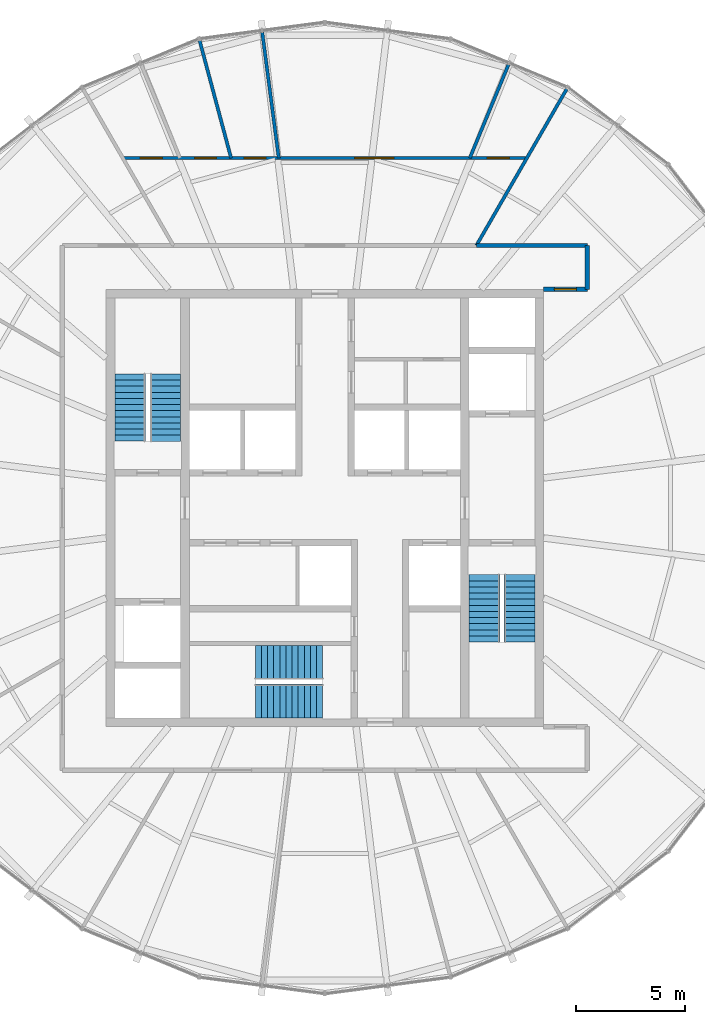
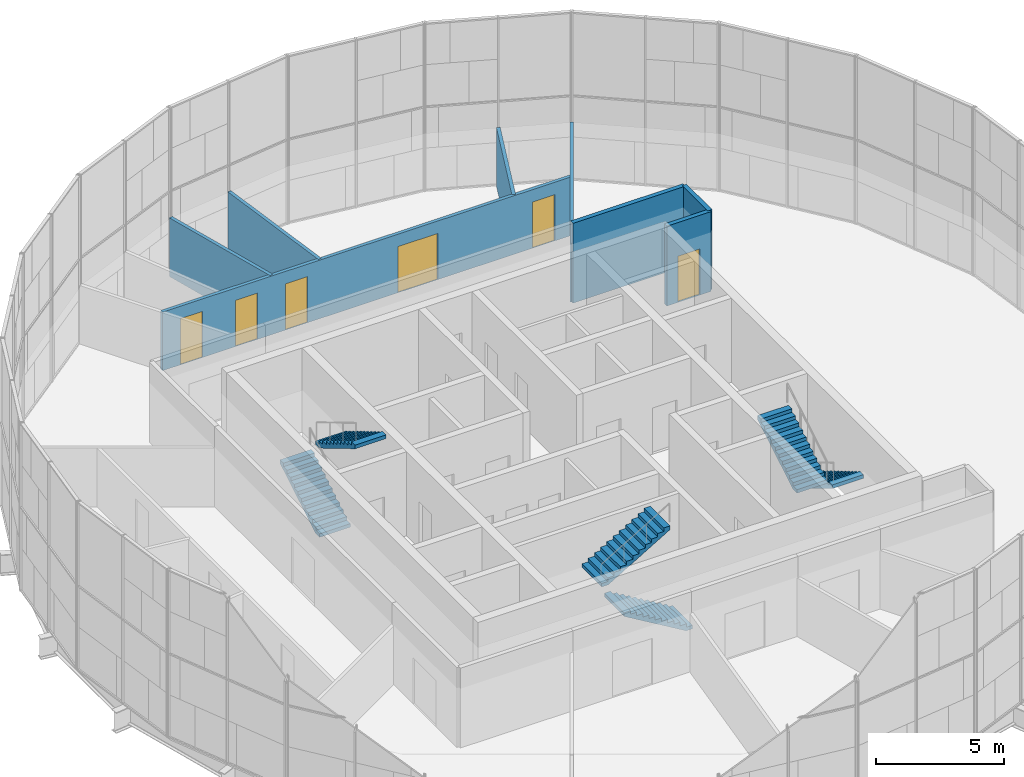
# One storey, part 18 of 19: 8 walls, 6 doors, 6 stair flights, 6 openings, 3 elements without a shape of their own.
"""IFC4 building model written with IfcOpenShell, lengths in metres."""

from ifc_helpers import new_model, si_unit, direction, frame, frame_2d, origin, place, context, subcontext, project, spatial, polyline, rectangle, outline, extrude, material, layer, layer_set, type_object, element, fill, aggregate, save


model = new_model("IFC4")

# Units and contexts
model_context = context("Model", 3, precision=1e-05, world=origin(), true_north=direction((0.0, 1.0)))
body_context = subcontext(model_context, "Body", "Model", "MODEL_VIEW")
ifc_project = project(units=[si_unit("LENGTHUNIT", "METRE"), si_unit("AREAUNIT", "SQUARE_METRE"), si_unit("VOLUMEUNIT", "CUBIC_METRE"), si_unit("PLANEANGLEUNIT", "RADIAN"), si_unit("MASSUNIT", "GRAM", prefix="KILO")], contexts=[model_context])

# Site, building, storey
site_placement = place(None, origin())
site = spatial("IfcSite", under=ifc_project, at=site_placement, CompositionType="ELEMENT")
building_placement = place(site_placement, origin())
building = spatial("IfcBuilding", under=site, at=building_placement, Name="Golbaran Civic Tower", CompositionType="ELEMENT")
storey_placement = place(building_placement, frame((0.0, 0.0, 256.0)))
storey = spatial("IfcBuildingStorey", under=building, at=storey_placement, Name="L62", CompositionType="ELEMENT", Elevation=256.0)

# Walls
ifc_material_1 = material(Name="Gypsum board on steel studs, fire-rated", Category="steel")
ifc_layer_1 = layer(ifc_material_1, 0.199951171875, Name="Gypsum board on steel studs, fire-rated")
ifc_layer_set_1 = layer_set([ifc_layer_1], Name="Gypsum board on steel studs, fire-rated")
wall_type_1 = type_object("IfcWallType", Name="CORRIDOR WALL 200", PredefinedType="PARTITIONING", material=ifc_layer_set_1)
wall_1_placement = place(storey_placement, frame((12.0, 10.0, 0.0), z_axis=(0.0, 0.0, 1.0), x_axis=(0.0, 1.0, 0.0)))
element("IfcWall", 1, at=wall_1_placement, inside=storey, type_object=wall_type_1, Name="Corridor wall L62", PredefinedType="PARTITIONING", context=body_context, shape_type="SweptSolid", body=[
    extrude(rectangle(XDim=2.0, YDim=0.199951171875, at=frame_2d((1.0, 0.0))), origin(), (0.0, 0.0, 1.0), 3.800048828125),
])
wall_2_placement = place(storey_placement, frame((12.0, 12.0, 0.0), z_axis=(0.0, 0.0, 1.0), x_axis=(-1.0, 0.0, 0.0)))
element("IfcWall", 2, at=wall_2_placement, inside=storey, type_object=wall_type_1, Name="Corridor wall L62", PredefinedType="PARTITIONING", context=body_context, shape_type="SweptSolid", body=[
    extrude(rectangle(XDim=5.07177734375, YDim=0.199951171875, at=frame_2d((2.535888671875, 0.0))), origin(), (0.0, 0.0, 1.0), 3.800048828125),
])

# Wall, opening, door
wall_3_placement = place(storey_placement, frame((10.0, 10.0, 0.0), z_axis=(0.0, 0.0, 1.0), x_axis=(1.0, 0.0, 0.0)))
wall_3 = element("IfcWall", 3, at=wall_3_placement, inside=storey, type_object=wall_type_1, Name="Corridor end wall L62", PredefinedType="PARTITIONING", context=body_context, shape_type="SweptSolid", body=[
    extrude(rectangle(XDim=2.0, YDim=0.199951171875, at=frame_2d((1.0, 0.0))), origin(), (0.0, 0.0, 1.0), 3.800048828125),
])
opening_1_placement = place(wall_3_placement, frame((0.5, 0.0, 0.0)))
opening_1 = element("IfcOpeningElement", 4, at=opening_1_placement, cuts=wall_3, Name="Opening L62.16", PredefinedType="OPENING", context=body_context, shape_type="SweptSolid", body=[
    extrude(rectangle(XDim=1.0, YDim=2.199951171875, at=frame_2d((0.5, 1.10009765625))), frame((0.0, 0.10986328125, 0.0), z_axis=(0.0, -1.0, 0.0), x_axis=(1.0, 0.0, 0.0)), (0.0, 0.0, 1.0), 0.219970703125),
])
ifc_material_2 = material(Name="Timber door set in steel frame", Category="steel")
door_type_1 = type_object("IfcDoorType", Name="OFFICE DOOR 1000x2200", OperationType="SINGLE_SWING_LEFT", PredefinedType="DOOR", material=ifc_material_2)
door_1_placement = place(opening_1_placement, origin())
door_1 = element("IfcDoor", 5, at=door_1_placement, inside=storey, type_object=door_type_1, Name="Open Office door L62", OperationType="SINGLE_SWING_LEFT", OverallHeight=2.199951171875, OverallWidth=1.0, PredefinedType="DOOR", context=body_context, shape_type="SweptSolid", body=[
    extrude(rectangle(XDim=1.0, YDim=2.199951171875, at=frame_2d((0.5, 1.10009765625))), frame((0.0, 0.02490234375, 0.0), z_axis=(0.0, -1.0, 0.0), x_axis=(1.0, 0.0, 0.0)), (0.0, 0.0, 1.0), 0.050048828125),
])
fill(opening_1, door_1)

# Wall
ifc_material_3 = material(Name="Gypsum board on steel studs", Category="steel")
ifc_layer_2 = layer(ifc_material_3, 0.14990234375, Name="Gypsum board on steel studs")
ifc_layer_set_2 = layer_set([ifc_layer_2], Name="Gypsum board on steel studs")
wall_type_2 = type_object("IfcWallType", Name="OFFICE PARTITION 150", PredefinedType="PARTITIONING", material=ifc_layer_set_2)
wall_4_placement = place(storey_placement, frame((6.92822265625, 12.0, 0.0), z_axis=(0.0, 0.0, 1.0), x_axis=(0.499989206474, 0.86603163534, 0.0)))
element("IfcWall", 6, at=wall_4_placement, inside=storey, type_object=wall_type_2, Name="Partition 60 L62", PredefinedType="PARTITIONING", context=body_context, shape_type="SweptSolid", body=[
    extrude(rectangle(XDim=8.265869140625, YDim=0.14990234375, at=frame_2d((4.1328125, 0.0))), origin(), (0.0, 0.0, 1.0), 2.7900390625),
])

# Wall, openings, doors
wall_5_placement = place(storey_placement, frame((9.237548828125, 16.0, 0.0), z_axis=(0.0, 0.0, 1.0), x_axis=(-1.0, 0.0, 0.0)))
wall_5 = element("IfcWall", 7, at=wall_5_placement, inside=storey, type_object=wall_type_2, Name="Suite partition L62", PredefinedType="PARTITIONING", context=body_context, shape_type="SweptSolid", body=[
    extrude(rectangle(XDim=18.47509765625, YDim=0.14990234375, at=frame_2d((9.237548828125, 0.0))), origin(), (0.0, 0.0, 1.0), 2.7900390625),
])
opening_2_placement = place(wall_5_placement, frame((0.80517578125, 0.0, 0.0)))
opening_2 = element("IfcOpeningElement", 8, at=opening_2_placement, cuts=wall_5, Name="Opening L62.01", PredefinedType="OPENING", context=body_context, shape_type="SweptSolid", body=[
    extrude(rectangle(XDim=1.0, YDim=2.199951171875, at=frame_2d((0.5, 1.10009765625))), frame((0.0, 0.0849609375, 0.0), z_axis=(0.0, -1.0, 0.0), x_axis=(1.0, 0.0, 0.0)), (0.0, 0.0, 1.0), 0.169921875),
])
opening_3_placement = place(wall_5_placement, frame((6.0771484375, 0.0, 0.0)))
opening_3 = element("IfcOpeningElement", 9, at=opening_3_placement, cuts=wall_5, Name="Opening L62.02", PredefinedType="OPENING", context=body_context, shape_type="SweptSolid", body=[
    extrude(rectangle(XDim=1.800048828125, YDim=2.199951171875, at=frame_2d((0.89990234375, 1.10009765625))), frame((0.0, 0.0849609375, 0.0), z_axis=(0.0, -1.0, 0.0), x_axis=(1.0, 0.0, 0.0)), (0.0, 0.0, 1.0), 0.169921875),
])
opening_4_placement = place(wall_5_placement, frame((11.934326171875, 0.0, 0.0)))
opening_4 = element("IfcOpeningElement", 10, at=opening_4_placement, cuts=wall_5, Name="Opening L62.03", PredefinedType="OPENING", context=body_context, shape_type="SweptSolid", body=[
    extrude(rectangle(XDim=1.0, YDim=2.199951171875, at=frame_2d((0.5, 1.10009765625))), frame((0.0, 0.0849609375, 0.0), z_axis=(0.0, -1.0, 0.0), x_axis=(1.0, 0.0, 0.0)), (0.0, 0.0, 1.0), 0.169921875),
])
opening_5_placement = place(wall_5_placement, frame((14.19482421875, 0.0, 0.0)))
opening_5 = element("IfcOpeningElement", 11, at=opening_5_placement, cuts=wall_5, Name="Opening L62.04", PredefinedType="OPENING", context=body_context, shape_type="SweptSolid", body=[
    extrude(rectangle(XDim=1.0, YDim=2.199951171875, at=frame_2d((0.5, 1.10009765625))), frame((0.0, 0.0849609375, 0.0), z_axis=(0.0, -1.0, 0.0), x_axis=(1.0, 0.0, 0.0)), (0.0, 0.0, 1.0), 0.169921875),
])
opening_6_placement = place(wall_5_placement, frame((16.670166015625, 0.0, 0.0)))
opening_6 = element("IfcOpeningElement", 12, at=opening_6_placement, cuts=wall_5, Name="Opening L62.05", PredefinedType="OPENING", context=body_context, shape_type="SweptSolid", body=[
    extrude(rectangle(XDim=1.0, YDim=2.199951171875, at=frame_2d((0.5, 1.10009765625))), frame((0.0, 0.0849609375, 0.0), z_axis=(0.0, -1.0, 0.0), x_axis=(1.0, 0.0, 0.0)), (0.0, 0.0, 1.0), 0.169921875),
])
door_2_placement = place(opening_2_placement, origin())
door_2 = element("IfcDoor", 13, at=door_2_placement, inside=storey, type_object=door_type_1, Name="Private Meeting Room door L62", OperationType="SINGLE_SWING_LEFT", OverallHeight=2.199951171875, OverallWidth=1.0, PredefinedType="DOOR", context=body_context, shape_type="SweptSolid", body=[
    extrude(rectangle(XDim=1.0, YDim=2.199951171875, at=frame_2d((0.5, 1.10009765625))), frame((0.0, 0.02490234375, 0.0), z_axis=(0.0, -1.0, 0.0), x_axis=(1.0, 0.0, 0.0)), (0.0, 0.0, 1.0), 0.050048828125),
])
fill(opening_2, door_2)
door_3_placement = place(opening_4_placement, origin())
door_3 = element("IfcDoor", 14, at=door_3_placement, inside=storey, type_object=door_type_1, Name="Private Meeting Room door L62", OperationType="SINGLE_SWING_RIGHT", OverallHeight=2.199951171875, OverallWidth=1.0, PredefinedType="DOOR", context=body_context, shape_type="SweptSolid", body=[
    extrude(rectangle(XDim=1.0, YDim=2.199951171875, at=frame_2d((0.5, 1.10009765625))), frame((0.0, 0.02490234375, 0.0), z_axis=(0.0, -1.0, 0.0), x_axis=(1.0, 0.0, 0.0)), (0.0, 0.0, 1.0), 0.050048828125),
])
fill(opening_4, door_3)
door_4_placement = place(opening_5_placement, origin())
door_4 = element("IfcDoor", 15, at=door_4_placement, inside=storey, type_object=door_type_1, Name="Private Meeting Room door L62", OperationType="SINGLE_SWING_RIGHT", OverallHeight=2.199951171875, OverallWidth=1.0, PredefinedType="DOOR", context=body_context, shape_type="SweptSolid", body=[
    extrude(rectangle(XDim=1.0, YDim=2.199951171875, at=frame_2d((0.5, 1.10009765625))), frame((0.0, 0.02490234375, 0.0), z_axis=(0.0, -1.0, 0.0), x_axis=(1.0, 0.0, 0.0)), (0.0, 0.0, 1.0), 0.050048828125),
])
fill(opening_5, door_4)
door_5_placement = place(opening_6_placement, origin())
door_5 = element("IfcDoor", 16, at=door_5_placement, inside=storey, type_object=door_type_1, Name="Office door L62", OperationType="SINGLE_SWING_RIGHT", OverallHeight=2.199951171875, OverallWidth=1.0, PredefinedType="DOOR", context=body_context, shape_type="SweptSolid", body=[
    extrude(rectangle(XDim=1.0, YDim=2.199951171875, at=frame_2d((0.5, 1.10009765625))), frame((0.0, 0.02490234375, 0.0), z_axis=(0.0, -1.0, 0.0), x_axis=(1.0, 0.0, 0.0)), (0.0, 0.0, 1.0), 0.050048828125),
])
fill(opening_6, door_5)
door_type_2 = type_object("IfcDoorType", Name="OFFICE DOUBLE DOOR 1800x2200", OperationType="DOUBLE_DOOR_SINGLE_SWING", PredefinedType="DOOR", material=ifc_material_2)
door_6_placement = place(opening_3_placement, origin())
door_6 = element("IfcDoor", 17, at=door_6_placement, inside=storey, type_object=door_type_2, Name="Private Meeting Room door L62", OperationType="DOUBLE_DOOR_SINGLE_SWING", OverallHeight=2.199951171875, OverallWidth=1.800048828125, PredefinedType="DOOR", context=body_context, shape_type="SweptSolid", body=[
    extrude(rectangle(XDim=1.800048828125, YDim=2.199951171875, at=frame_2d((0.89990234375, 1.10009765625))), frame((0.0, 0.02490234375, 0.0), z_axis=(0.0, -1.0, 0.0), x_axis=(1.0, 0.0, 0.0)), (0.0, 0.0, 1.0), 0.050048828125),
])
fill(opening_3, door_6)

# Walls
wall_6_placement = place(storey_placement, frame((6.62744140625, 16.0, 0.0), z_axis=(0.0, 0.0, 1.0), x_axis=(0.38266485266, 0.923887228258, 0.0)))
element("IfcWall", 18, at=wall_6_placement, inside=storey, type_object=wall_type_2, Name="Partition 67.5 L62", PredefinedType="PARTITIONING", context=body_context, shape_type="SweptSolid", body=[
    extrude(rectangle(XDim=4.61474609375, YDim=0.14990234375, at=frame_2d((2.307373046875, 0.0))), origin(), (0.0, 0.0, 1.0), 2.7900390625),
])
wall_7_placement = place(storey_placement, frame((-2.1064453125, 16.0, 0.0), z_axis=(0.0, 0.0, 1.0), x_axis=(-0.130518811488, 0.991445833038, 0.0)))
element("IfcWall", 19, at=wall_7_placement, inside=storey, type_object=wall_type_2, Name="Partition 97.5 L62", PredefinedType="PARTITIONING", context=body_context, shape_type="SweptSolid", body=[
    extrude(rectangle(XDim=5.794921875, YDim=0.14990234375, at=frame_2d((2.8974609375, 0.0))), origin(), (0.0, 0.0, 1.0), 2.7900390625),
])
wall_8_placement = place(storey_placement, frame((-4.287109375, 16.0, 0.0), z_axis=(0.0, 0.0, 1.0), x_axis=(-0.25882171764, 0.965925110181, 0.0)))
element("IfcWall", 20, at=wall_8_placement, inside=storey, type_object=wall_type_2, Name="Partition 105 L62", PredefinedType="PARTITIONING", context=body_context, shape_type="SweptSolid", body=[
    extrude(rectangle(XDim=5.557861328125, YDim=0.14990234375, at=frame_2d((2.77880859375, 0.0))), origin(), (0.0, 0.0, 1.0), 2.7900390625),
])

# Stair, stair flights
ifc_material_4 = material(Name="Concrete C35/45", Category="concrete")
stair_type_1 = type_object("IfcStairType", Name="EXIT STAIR 3000 x 7850, 4000 RISE", PredefinedType="HALF_TURN_STAIR", material=ifc_material_4)
stair_1_placement = place(storey_placement, origin())
stair_1 = element("IfcStair", 21, at=stair_1_placement, inside=storey, type_object=stair_type_1, Name="Stair S1 L62", PredefinedType="HALF_TURN_STAIR")
stair_flight_type_1 = type_object("IfcStairFlightType", Name="STAIR FLIGHT 1400 WIDE", PredefinedType="STRAIGHT", material=ifc_material_4)
stair_flight_1_placement = place(storey_placement, frame((-8.89990234375, 3.050048828125, 0.0), z_axis=(0.0, 0.0, 1.0), x_axis=(0.0, 1.0, 0.0)))
stair_flight_1 = element("IfcStairFlight", 22, at=stair_flight_1_placement, type_object=stair_flight_type_1, Name="ST30078-40 flight 1", NumberOfRisers=12, NumberOfTreads=11, PredefinedType="STRAIGHT", RiserHeight=0.166666667, TreadLength=0.28, context=body_context, shape_type="SweptSolid", body=[
    extrude(outline(polyline([(0.0, 0.0), (0.0, 0.166748046875), (0.280029296875, 0.166748046875), (0.280029296875, 0.333251953125), (0.56005859375, 0.333251953125), (0.56005859375, 0.5), (0.840087890625, 0.5), (0.840087890625, 0.666748046875), (1.1201171875, 0.666748046875), (1.1201171875, 0.833251953125), (1.39990234375, 0.833251953125), (1.39990234375, 1.0), (1.679931640625, 1.0), (1.679931640625, 1.166748046875), (1.9599609375, 1.166748046875), (1.9599609375, 1.333251953125), (2.239990234375, 1.333251953125), (2.239990234375, 1.5), (2.52001953125, 1.5), (2.52001953125, 1.666748046875), (2.800048828125, 1.666748046875), (2.800048828125, 1.833251953125), (3.080078125, 1.833251953125), (3.080078125, 2.0), (3.080078125, 1.658935546875), (0.29296875, 0.0), (0.0, 0.0)])), frame((0.0, 0.699951171875, 0.0), z_axis=(0.0, -1.0, 0.0), x_axis=(1.0, 0.0, 0.0)), (0.0, 0.0, 1.0), 1.39990234375),
])
stair_flight_2_placement = place(storey_placement, frame((-7.300048828125, 6.1298828125, 2.0), z_axis=(0.0, 0.0, 1.0), x_axis=(0.0, -1.0, 0.0)))
stair_flight_2 = element("IfcStairFlight", 23, at=stair_flight_2_placement, type_object=stair_flight_type_1, Name="ST30078-40 flight 2", NumberOfRisers=12, NumberOfTreads=11, PredefinedType="STRAIGHT", RiserHeight=0.166666667, TreadLength=0.28, context=body_context, shape_type="SweptSolid", body=[
    extrude(outline(polyline([(0.0, 0.0), (0.0, 0.166748046875), (0.280029296875, 0.166748046875), (0.280029296875, 0.333251953125), (0.56005859375, 0.333251953125), (0.56005859375, 0.5), (0.840087890625, 0.5), (0.840087890625, 0.666748046875), (1.1201171875, 0.666748046875), (1.1201171875, 0.833251953125), (1.39990234375, 0.833251953125), (1.39990234375, 1.0), (1.679931640625, 1.0), (1.679931640625, 1.166748046875), (1.9599609375, 1.166748046875), (1.9599609375, 1.333251953125), (2.239990234375, 1.333251953125), (2.239990234375, 1.5), (2.52001953125, 1.5), (2.52001953125, 1.666748046875), (2.800048828125, 1.666748046875), (2.800048828125, 1.833251953125), (3.080078125, 1.833251953125), (3.080078125, 2.0), (3.080078125, 1.658935546875), (0.29296875, 0.0), (0.0, 0.0)])), frame((0.0, 0.699951171875, 0.0), z_axis=(0.0, -1.0, 0.0), x_axis=(1.0, 0.0, 0.0)), (0.0, 0.0, 1.0), 1.39990234375),
])
aggregate(stair_1, [stair_flight_1, stair_flight_2])

stair_2_placement = place(storey_placement, origin())
stair_2 = element("IfcStair", 24, at=stair_2_placement, inside=storey, type_object=stair_type_1, Name="Stair S2 L62", PredefinedType="HALF_TURN_STAIR")
stair_flight_3_placement = place(storey_placement, frame((8.89990234375, -3.050048828125, 0.0), z_axis=(0.0, 0.0, 1.0), x_axis=(0.0, -1.0, 0.0)))
stair_flight_3 = element("IfcStairFlight", 25, at=stair_flight_3_placement, type_object=stair_flight_type_1, Name="ST30078-40 flight 1", NumberOfRisers=12, NumberOfTreads=11, PredefinedType="STRAIGHT", RiserHeight=0.166666667, TreadLength=0.28, context=body_context, shape_type="SweptSolid", body=[
    extrude(outline(polyline([(0.0, 0.0), (0.0, 0.166748046875), (0.280029296875, 0.166748046875), (0.280029296875, 0.333251953125), (0.56005859375, 0.333251953125), (0.56005859375, 0.5), (0.840087890625, 0.5), (0.840087890625, 0.666748046875), (1.1201171875, 0.666748046875), (1.1201171875, 0.833251953125), (1.39990234375, 0.833251953125), (1.39990234375, 1.0), (1.679931640625, 1.0), (1.679931640625, 1.166748046875), (1.9599609375, 1.166748046875), (1.9599609375, 1.333251953125), (2.239990234375, 1.333251953125), (2.239990234375, 1.5), (2.52001953125, 1.5), (2.52001953125, 1.666748046875), (2.800048828125, 1.666748046875), (2.800048828125, 1.833251953125), (3.080078125, 1.833251953125), (3.080078125, 2.0), (3.080078125, 1.658935546875), (0.29296875, 0.0), (0.0, 0.0)])), frame((0.0, 0.699951171875, 0.0), z_axis=(0.0, -1.0, 0.0), x_axis=(1.0, 0.0, 0.0)), (0.0, 0.0, 1.0), 1.39990234375),
])
stair_flight_4_placement = place(storey_placement, frame((7.300048828125, -6.1298828125, 2.0), z_axis=(0.0, 0.0, 1.0), x_axis=(0.0, 1.0, 0.0)))
stair_flight_4 = element("IfcStairFlight", 26, at=stair_flight_4_placement, type_object=stair_flight_type_1, Name="ST30078-40 flight 2", NumberOfRisers=12, NumberOfTreads=11, PredefinedType="STRAIGHT", RiserHeight=0.166666667, TreadLength=0.28, context=body_context, shape_type="SweptSolid", body=[
    extrude(outline(polyline([(0.0, 0.0), (0.0, 0.166748046875), (0.280029296875, 0.166748046875), (0.280029296875, 0.333251953125), (0.56005859375, 0.333251953125), (0.56005859375, 0.5), (0.840087890625, 0.5), (0.840087890625, 0.666748046875), (1.1201171875, 0.666748046875), (1.1201171875, 0.833251953125), (1.39990234375, 0.833251953125), (1.39990234375, 1.0), (1.679931640625, 1.0), (1.679931640625, 1.166748046875), (1.9599609375, 1.166748046875), (1.9599609375, 1.333251953125), (2.239990234375, 1.333251953125), (2.239990234375, 1.5), (2.52001953125, 1.5), (2.52001953125, 1.666748046875), (2.800048828125, 1.666748046875), (2.800048828125, 1.833251953125), (3.080078125, 1.833251953125), (3.080078125, 2.0), (3.080078125, 1.658935546875), (0.29296875, 0.0), (0.0, 0.0)])), frame((0.0, 0.699951171875, 0.0), z_axis=(0.0, -1.0, 0.0), x_axis=(1.0, 0.0, 0.0)), (0.0, 0.0, 1.0), 1.39990234375),
])
aggregate(stair_2, [stair_flight_3, stair_flight_4])

stair_type_2 = type_object("IfcStairType", Name="EXIT STAIR 3300 x 7400, 4000 RISE", PredefinedType="HALF_TURN_STAIR", material=ifc_material_4)
stair_3_placement = place(storey_placement, origin())
stair_3 = element("IfcStair", 27, at=stair_3_placement, inside=storey, type_object=stair_type_2, Name="Stair S3 L62", PredefinedType="HALF_TURN_STAIR")
stair_flight_type_2 = type_object("IfcStairFlightType", Name="STAIR FLIGHT 1550 WIDE", PredefinedType="STRAIGHT", material=ifc_material_4)
stair_flight_5_placement = place(storey_placement, frame((-0.10009765625, -8.824951171875, 0.0), z_axis=(0.0, 0.0, 1.0), x_axis=(-1.0, 0.0, 0.0)))
stair_flight_5 = element("IfcStairFlight", 28, at=stair_flight_5_placement, type_object=stair_flight_type_2, Name="ST33074-40 flight 1", NumberOfRisers=12, NumberOfTreads=11, PredefinedType="STRAIGHT", RiserHeight=0.166666667, TreadLength=0.28, context=body_context, shape_type="SweptSolid", body=[
    extrude(outline(polyline([(0.0, 0.0), (0.0, 0.166748046875), (0.280029296875, 0.166748046875), (0.280029296875, 0.333251953125), (0.56005859375, 0.333251953125), (0.56005859375, 0.5), (0.840087890625, 0.5), (0.840087890625, 0.666748046875), (1.1201171875, 0.666748046875), (1.1201171875, 0.833251953125), (1.39990234375, 0.833251953125), (1.39990234375, 1.0), (1.679931640625, 1.0), (1.679931640625, 1.166748046875), (1.9599609375, 1.166748046875), (1.9599609375, 1.333251953125), (2.239990234375, 1.333251953125), (2.239990234375, 1.5), (2.52001953125, 1.5), (2.52001953125, 1.666748046875), (2.800048828125, 1.666748046875), (2.800048828125, 1.833251953125), (3.080078125, 1.833251953125), (3.080078125, 2.0), (3.080078125, 1.658935546875), (0.29296875, 0.0), (0.0, 0.0)])), frame((0.0, 0.77490234375, 0.0), z_axis=(0.0, -1.0, 0.0), x_axis=(1.0, 0.0, 0.0)), (0.0, 0.0, 1.0), 1.550048828125),
])
stair_flight_6_placement = place(storey_placement, frame((-3.179931640625, -7.074951171875, 2.0), z_axis=(0.0, 0.0, 1.0), x_axis=(1.0, 0.0, 0.0)))
stair_flight_6 = element("IfcStairFlight", 29, at=stair_flight_6_placement, type_object=stair_flight_type_2, Name="ST33074-40 flight 2", NumberOfRisers=12, NumberOfTreads=11, PredefinedType="STRAIGHT", RiserHeight=0.166666667, TreadLength=0.28, context=body_context, shape_type="SweptSolid", body=[
    extrude(outline(polyline([(0.0, 0.0), (0.0, 0.166748046875), (0.280029296875, 0.166748046875), (0.280029296875, 0.333251953125), (0.56005859375, 0.333251953125), (0.56005859375, 0.5), (0.840087890625, 0.5), (0.840087890625, 0.666748046875), (1.1201171875, 0.666748046875), (1.1201171875, 0.833251953125), (1.39990234375, 0.833251953125), (1.39990234375, 1.0), (1.679931640625, 1.0), (1.679931640625, 1.166748046875), (1.9599609375, 1.166748046875), (1.9599609375, 1.333251953125), (2.239990234375, 1.333251953125), (2.239990234375, 1.5), (2.52001953125, 1.5), (2.52001953125, 1.666748046875), (2.800048828125, 1.666748046875), (2.800048828125, 1.833251953125), (3.080078125, 1.833251953125), (3.080078125, 2.0), (3.080078125, 1.658935546875), (0.29296875, 0.0), (0.0, 0.0)])), frame((0.0, 0.77490234375, 0.0), z_axis=(0.0, -1.0, 0.0), x_axis=(1.0, 0.0, 0.0)), (0.0, 0.0, 1.0), 1.550048828125),
])
aggregate(stair_3, [stair_flight_5, stair_flight_6])

save(model, "model.ifc")
